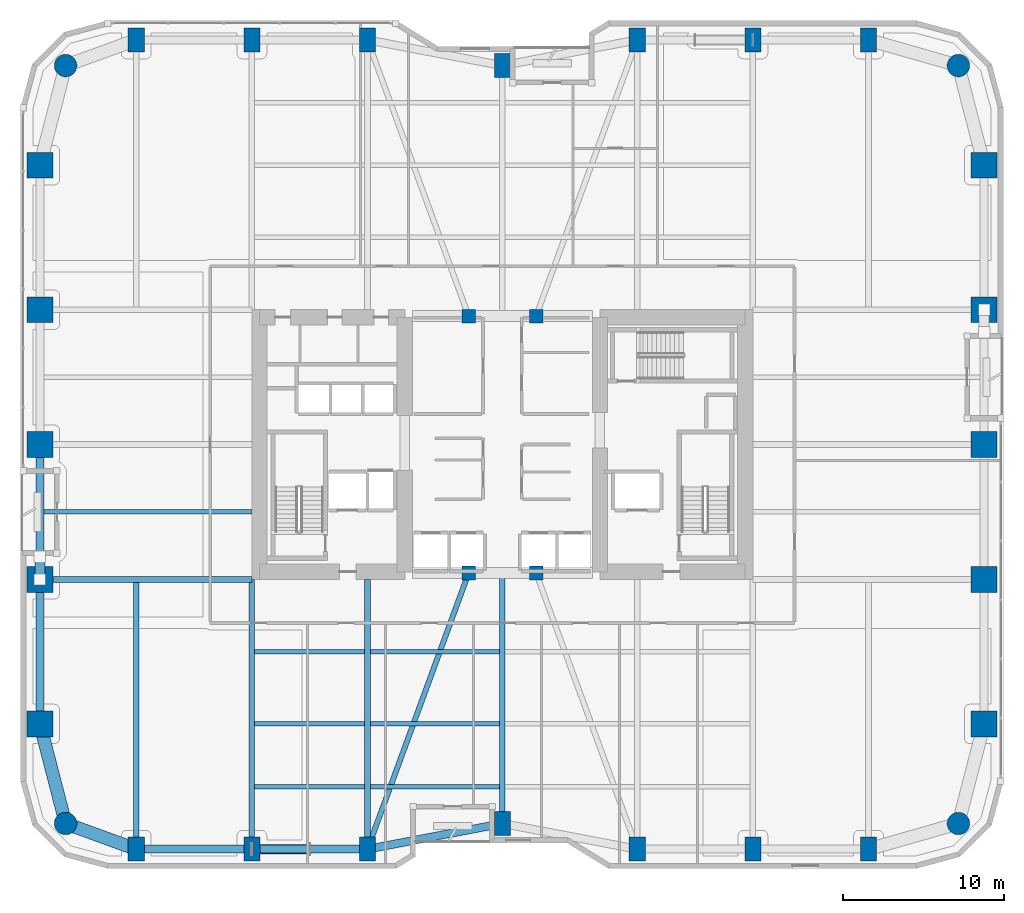
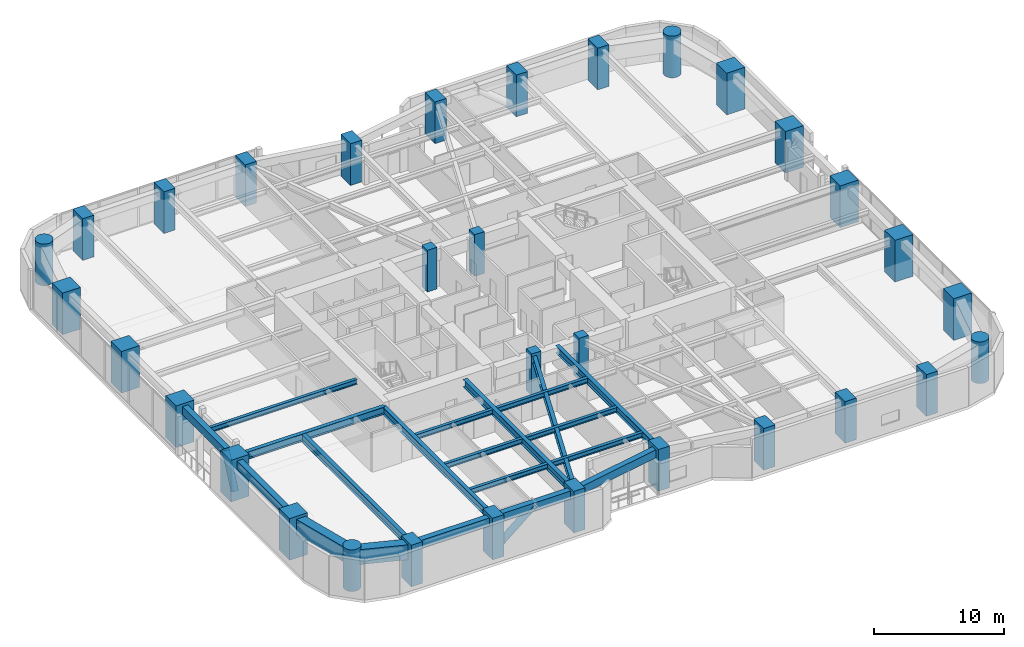
# One storey, part 1 of 29: 32 columns, 20 beams, 2 members.
"""IFC4 building model written with IfcOpenShell, lengths in metres."""

from ifc_helpers import new_model, si_unit, direction, frame, origin, origin_2d, place, context, subcontext, project, spatial, rectangle, circle, hollow_circle, i_section, extrude, material, material_profile, profile_set, type_object, element, save


model = new_model("IFC4")

# Units and contexts
model_context = context("Model", 3, precision=1e-05, world=origin(), true_north=direction((0.0, 1.0)))
body_context = subcontext(model_context, "Body", "Model", "MODEL_VIEW")
ifc_project = project(units=[si_unit("LENGTHUNIT", "METRE"), si_unit("AREAUNIT", "SQUARE_METRE"), si_unit("VOLUMEUNIT", "CUBIC_METRE"), si_unit("PLANEANGLEUNIT", "RADIAN"), si_unit("MASSUNIT", "GRAM", prefix="KILO")], contexts=[model_context])

# Site, building, storey
site_placement = place(None, origin())
site = spatial("IfcSite", under=ifc_project, at=site_placement, CompositionType="ELEMENT")
building_placement = place(site_placement, origin())
building = spatial("IfcBuilding", under=site, at=building_placement, Name="Kiyonajd Concourse Tower", CompositionType="ELEMENT")
storey_placement = place(building_placement, frame((0.0, 0.0, 48.89990234375)))
storey = spatial("IfcBuildingStorey", under=building, at=storey_placement, Name="L13", CompositionType="ELEMENT", Elevation=48.89990234375)

# Columns
ifc_material_1 = material(Name="Concrete C80/95", Category="concrete")
ifc_material_profile_1 = material_profile(ifc_material_1, rectangle(XDim=1.0, YDim=1.5, at=origin_2d()), Name="RC-1500x1000")
ifc_profile_set_1 = profile_set([ifc_material_profile_1], Name="Concrete C80/95")
column_type_1 = type_object("IfcColumnType", Name="CL-BLADE-1500", PredefinedType="COLUMN", material=ifc_profile_set_1)
for number, where, z_axis, x_axis, name in (
    (1, (25.199951171875, 10.800048828125, 0.0), (0.0, 0.0, 1.0), (1.0, 0.0, 0.0), "L13 Perimeter Bundled Tube Column"),
    (2, (25.199951171875, 61.199951171875, 0.0), (0.0, 0.0, 1.0), (1.0, 0.0, 0.0), "L13 Perimeter Bundled Tube Column"),
    (3, (32.39990234375, 10.800048828125, 0.0), (0.0, 0.0, 1.0), (1.0, 0.0, 0.0), "L13 Perimeter Bundled Tube Column"),
    (4, (32.39990234375, 61.199951171875, 0.0), (0.0, 0.0, 1.0), (1.0, 0.0, 0.0), "L13 Perimeter Bundled Tube Column"),
    (5, (39.60009765625, 10.800048828125, 0.0), (0.0, 0.0, 1.0), (1.0, 0.0, 0.0), "L13 Perimeter Bundled Tube Column"),
    (6, (39.60009765625, 61.199951171875, 0.0), (0.0, 0.0, 1.0), (1.0, 0.0, 0.0), "L13 Perimeter Bundled Tube Column"),
    (7, (48.0, 12.39990234375, 0.0), (0.0, 0.0, 1.0), (1.0, 0.0, 0.0), "L13 Perimeter Bundled Tube Column"),
    (8, (48.0, 59.60009765625, 0.0), (0.0, 0.0, 1.0), (1.0, 0.0, 0.0), "L13 Perimeter Bundled Tube Column"),
    (9, (56.39990234375, 10.800048828125, 0.0), (0.0, 0.0, 1.0), (1.0, 0.0, 0.0), "L13 Perimeter Bundled Tube Column"),
    (10, (56.39990234375, 61.199951171875, 0.0), (0.0, 0.0, 1.0), (1.0, 0.0, 0.0), "L13 Perimeter Bundled Tube Column"),
    (11, (63.60009765625, 10.800048828125, 0.0), (0.0, 0.0, 1.0), (1.0, 0.0, 0.0), "L13 Perimeter Bundled Tube Column"),
    (12, (63.60009765625, 61.199951171875, 0.0), (0.0, 0.0, 1.0), (1.0, 0.0, 0.0), "L13 Perimeter Bundled Tube Column"),
    (13, (70.800048828125, 10.800048828125, 0.0), (0.0, 0.0, 1.0), (1.0, 0.0, 0.0), "L13 Perimeter Bundled Tube Column"),
    (14, (70.800048828125, 61.199951171875, 0.0), (0.0, 0.0, 1.0), (1.0, 0.0, 0.0), "L13 Perimeter Bundled Tube Column"),
):
    element("IfcColumn", number, at=place(storey_placement, frame(where, z_axis=z_axis, x_axis=x_axis)), inside=storey, type_object=column_type_1, Name=name, PredefinedType="COLUMN", context=body_context, shape_type="SweptSolid", body=[
        extrude(rectangle(XDim=1.0, YDim=1.5, at=origin_2d()), origin(), (0.0, 0.0, 1.0), 3.900146484375),
    ])
ifc_material_profile_2 = material_profile(ifc_material_1, circle(Radius=0.699951171875, at=origin_2d()), Name="RCC-D1400")
ifc_profile_set_2 = profile_set([ifc_material_profile_2], Name="Concrete C80/95")
column_type_2 = type_object("IfcColumnType", Name="CL-RND-1400", PredefinedType="COLUMN", material=ifc_profile_set_2)
for number, where, z_axis, x_axis, name in (
    (15, (20.800048828125, 12.39990234375, 0.0), (0.0, 0.0, 1.0), (1.0, 0.0, 0.0), "L13 Bundled Tube Corner Column South West"),
    (16, (76.39990234375, 12.39990234375, 0.0), (0.0, 0.0, 1.0), (1.0, 0.0, 0.0), "L13 Bundled Tube Corner Column South East"),
    (17, (76.39990234375, 59.60009765625, 0.0), (0.0, 0.0, 1.0), (1.0, 0.0, 0.0), "L13 Bundled Tube Corner Column North East"),
    (18, (20.800048828125, 59.60009765625, 0.0), (0.0, 0.0, 1.0), (1.0, 0.0, 0.0), "L13 Bundled Tube Corner Column North West"),
):
    element("IfcColumn", number, at=place(storey_placement, frame(where, z_axis=z_axis, x_axis=x_axis)), inside=storey, type_object=column_type_2, Name=name, PredefinedType="COLUMN", context=body_context, shape_type="SweptSolid", body=[
        extrude(circle(Radius=0.699951171875, at=origin_2d()), origin(), (0.0, 0.0, 1.0), 3.900146484375),
    ])
ifc_material_profile_3 = material_profile(ifc_material_1, rectangle(XDim=1.60009765625, YDim=1.60009765625, at=origin_2d()), Name="RC-1600x1600")
ifc_profile_set_3 = profile_set([ifc_material_profile_3], Name="Concrete C80/95")
column_type_3 = type_object("IfcColumnType", Name="CL-TUBE-1600", PredefinedType="COLUMN", material=ifc_profile_set_3)
for number, where, z_axis, x_axis, name in (
    (19, (19.199951171875, 18.60009765625, 0.0), (0.0, 0.0, 1.0), (1.0, 0.0, 0.0), "L13 Perimeter Bundled Tube Column"),
    (20, (78.0, 18.60009765625, 0.0), (0.0, 0.0, 1.0), (1.0, 0.0, 0.0), "L13 Perimeter Bundled Tube Column"),
    (21, (19.199951171875, 27.60009765625, 0.0), (0.0, 0.0, 1.0), (1.0, 0.0, 0.0), "L13 Perimeter Bundled Tube Column"),
    (22, (78.0, 27.60009765625, 0.0), (0.0, 0.0, 1.0), (1.0, 0.0, 0.0), "L13 Perimeter Bundled Tube Column"),
    (23, (19.199951171875, 36.0, 0.0), (0.0, 0.0, 1.0), (1.0, 0.0, 0.0), "L13 Perimeter Bundled Tube Column"),
    (24, (78.0, 36.0, 0.0), (0.0, 0.0, 1.0), (1.0, 0.0, 0.0), "L13 Perimeter Bundled Tube Column"),
    (25, (19.199951171875, 44.39990234375, 0.0), (0.0, 0.0, 1.0), (1.0, 0.0, 0.0), "L13 Perimeter Bundled Tube Column"),
    (26, (78.0, 44.39990234375, 0.0), (0.0, 0.0, 1.0), (1.0, 0.0, 0.0), "L13 Perimeter Bundled Tube Column"),
    (27, (19.199951171875, 53.39990234375, 0.0), (0.0, 0.0, 1.0), (1.0, 0.0, 0.0), "L13 Perimeter Bundled Tube Column"),
    (28, (78.0, 53.39990234375, 0.0), (0.0, 0.0, 1.0), (1.0, 0.0, 0.0), "L13 Perimeter Bundled Tube Column"),
):
    element("IfcColumn", number, at=place(storey_placement, frame(where, z_axis=z_axis, x_axis=x_axis)), inside=storey, type_object=column_type_3, Name=name, PredefinedType="COLUMN", context=body_context, shape_type="SweptSolid", body=[
        extrude(rectangle(XDim=1.60009765625, YDim=1.60009765625, at=origin_2d()), origin(), (0.0, 0.0, 1.0), 3.900146484375),
    ])
ifc_material_2 = material(Name="Concrete C60/75", Category="concrete")
ifc_material_profile_4 = material_profile(ifc_material_2, rectangle(XDim=0.85009765625, YDim=0.85009765625, at=origin_2d()), Name="RC-850x850")
ifc_profile_set_4 = profile_set([ifc_material_profile_4], Name="Concrete C60/75")
column_type_4 = type_object("IfcColumnType", Name="CL-TUBE-850", PredefinedType="COLUMN", material=ifc_profile_set_4)
for number, where, z_axis, x_axis, name in (
    (29, (45.89990234375, 28.0, 0.0), (0.0, 0.0, 1.0), (1.0, 0.0, 0.0), "L13 Core Tie Column South West"),
    (30, (50.10009765625, 28.0, 0.0), (0.0, 0.0, 1.0), (1.0, 0.0, 0.0), "L13 Core Tie Column South East"),
    (31, (45.89990234375, 44.0, 0.0), (0.0, 0.0, 1.0), (1.0, 0.0, 0.0), "L13 Core Tie Column North West"),
    (32, (50.10009765625, 44.0, 0.0), (0.0, 0.0, 1.0), (1.0, 0.0, 0.0), "L13 Core Tie Column North East"),
):
    element("IfcColumn", number, at=place(storey_placement, frame(where, z_axis=z_axis, x_axis=x_axis)), inside=storey, type_object=column_type_4, Name=name, PredefinedType="COLUMN", context=body_context, shape_type="SweptSolid", body=[
        extrude(rectangle(XDim=0.85009765625, YDim=0.85009765625, at=origin_2d()), origin(), (0.0, 0.0, 1.0), 3.900146484375),
    ])

# Beams
ifc_material_3 = material(Name="Steel ASTM A992 Grade 50", Category="steel")
ifc_material_profile_5 = material_profile(ifc_material_3, i_section(OverallWidth=0.280029296875, OverallDepth=0.462890625, WebThickness=0.0107421875, FlangeThickness=0.017333984375, at=origin_2d()), Name="W460X113")
ifc_profile_set_5 = profile_set([ifc_material_profile_5], Name="Steel ASTM A992 Grade 50")
beam_type_1 = type_object("IfcBeamType", Name="BM-JST-460A", PredefinedType="JOIST", material=ifc_profile_set_5)
beam_1_placement = place(storey_placement, frame((32.577392578125, 14.699951171875, 3.40869140625), z_axis=(1.0, 0.0, 0.0), x_axis=(0.0, 1.0, 0.0)))
element("IfcBeam", 33, at=beam_1_placement, inside=storey, type_object=beam_type_1, Name="L13 Secondary Floor Joist", PredefinedType="JOIST", context=body_context, shape_type="SweptSolid", body=[
    extrude(i_section(OverallWidth=0.280029296875, OverallDepth=0.462890625, WebThickness=0.0107421875, FlangeThickness=0.017333984375, at=origin_2d()), origin(), (0.0, 0.0, 1.0), 6.84521484375),
])
beam_2_placement = place(storey_placement, frame((39.777587890625, 14.699951171875, 3.40869140625), z_axis=(1.0, 0.0, 0.0), x_axis=(0.0, 1.0, 0.0)))
element("IfcBeam", 34, at=beam_2_placement, inside=storey, type_object=beam_type_1, Name="L13 Secondary Floor Joist", PredefinedType="JOIST", context=body_context, shape_type="SweptSolid", body=[
    extrude(i_section(OverallWidth=0.280029296875, OverallDepth=0.462890625, WebThickness=0.0107421875, FlangeThickness=0.017333984375, at=origin_2d()), origin(), (0.0, 0.0, 1.0), 8.044921875),
])
beam_3_placement = place(storey_placement, frame((32.577392578125, 18.60009765625, 3.40869140625), z_axis=(1.0, 0.0, 0.0), x_axis=(0.0, 1.0, 0.0)))
element("IfcBeam", 35, at=beam_3_placement, inside=storey, type_object=beam_type_1, Name="L13 Secondary Floor Joist", PredefinedType="JOIST", context=body_context, shape_type="SweptSolid", body=[
    extrude(i_section(OverallWidth=0.280029296875, OverallDepth=0.462890625, WebThickness=0.0107421875, FlangeThickness=0.017333984375, at=origin_2d()), origin(), (0.0, 0.0, 1.0), 6.84521484375),
])
beam_4_placement = place(storey_placement, frame((39.777587890625, 18.60009765625, 3.40869140625), z_axis=(1.0, 0.0, 0.0), x_axis=(0.0, 1.0, 0.0)))
element("IfcBeam", 36, at=beam_4_placement, inside=storey, type_object=beam_type_1, Name="L13 Secondary Floor Joist", PredefinedType="JOIST", context=body_context, shape_type="SweptSolid", body=[
    extrude(i_section(OverallWidth=0.280029296875, OverallDepth=0.462890625, WebThickness=0.0107421875, FlangeThickness=0.017333984375, at=origin_2d()), origin(), (0.0, 0.0, 1.0), 8.044921875),
])
beam_5_placement = place(storey_placement, frame((32.577392578125, 23.10009765625, 3.40869140625), z_axis=(1.0, 0.0, 0.0), x_axis=(0.0, 1.0, 0.0)))
element("IfcBeam", 37, at=beam_5_placement, inside=storey, type_object=beam_type_1, Name="L13 Secondary Floor Joist", PredefinedType="JOIST", context=body_context, shape_type="SweptSolid", body=[
    extrude(i_section(OverallWidth=0.280029296875, OverallDepth=0.462890625, WebThickness=0.0107421875, FlangeThickness=0.017333984375, at=origin_2d()), origin(), (0.0, 0.0, 1.0), 6.84521484375),
])
beam_6_placement = place(storey_placement, frame((39.777587890625, 23.10009765625, 3.40869140625), z_axis=(1.0, 0.0, 0.0), x_axis=(0.0, 1.0, 0.0)))
element("IfcBeam", 38, at=beam_6_placement, inside=storey, type_object=beam_type_1, Name="L13 Secondary Floor Joist", PredefinedType="JOIST", context=body_context, shape_type="SweptSolid", body=[
    extrude(i_section(OverallWidth=0.280029296875, OverallDepth=0.462890625, WebThickness=0.0107421875, FlangeThickness=0.017333984375, at=origin_2d()), origin(), (0.0, 0.0, 1.0), 8.044921875),
])
beam_7_placement = place(storey_placement, frame((19.449951171875, 31.800048828125, 3.40869140625), z_axis=(1.0, 0.0, 0.0), x_axis=(0.0, 1.0, 0.0)))
element("IfcBeam", 39, at=beam_7_placement, inside=storey, type_object=beam_type_1, Name="L13 West Secondary Floor Joist", PredefinedType="JOIST", context=body_context, shape_type="SweptSolid", body=[
    extrude(i_section(OverallWidth=0.280029296875, OverallDepth=0.462890625, WebThickness=0.0107421875, FlangeThickness=0.017333984375, at=origin_2d()), origin(), (0.0, 0.0, 1.0), 12.949951171875),
])
ifc_material_4 = material(Name="Precast concrete C50/60", Category="concrete")
ifc_material_profile_6 = material_profile(ifc_material_4, rectangle(XDim=0.5, YDim=0.75, at=origin_2d()), Name="RCBM-500x750")
ifc_profile_set_6 = profile_set([ifc_material_profile_6], Name="Precast concrete C50/60")
beam_type_2 = type_object("IfcBeamType", Name="BM-SPAN-RC", PredefinedType="SPANDREL", material=ifc_profile_set_6)
beam_8_placement = place(storey_placement, frame((19.199951171875, 27.60009765625, 3.26513671875), z_axis=(0.0, -1.0, 0.0), x_axis=(1.0, 0.0, 0.0)))
element("IfcBeam", 40, at=beam_8_placement, inside=storey, type_object=beam_type_2, Name="L13 Perimeter Bundled Tube Spandrel", PredefinedType="SPANDREL", context=body_context, shape_type="SweptSolid", body=[
    extrude(rectangle(XDim=0.5, YDim=0.75, at=origin_2d()), origin(), (0.0, 0.0, 1.0), 9.0),
])
beam_9_placement = place(storey_placement, frame((25.199951171875, 10.800048828125, 3.26513671875), z_axis=(1.0, 0.0, 0.0), x_axis=(0.0, 1.0, 0.0)))
element("IfcBeam", 41, at=beam_9_placement, inside=storey, type_object=beam_type_2, Name="L13 Perimeter Bundled Tube Spandrel", PredefinedType="SPANDREL", context=body_context, shape_type="SweptSolid", body=[
    extrude(rectangle(XDim=0.5, YDim=0.75, at=origin_2d()), origin(), (0.0, 0.0, 1.0), 7.199951171875),
])
beam_10_placement = place(storey_placement, frame((32.39990234375, 10.800048828125, 3.26513671875), z_axis=(1.0, 0.0, 0.0), x_axis=(0.0, 1.0, 0.0)))
element("IfcBeam", 42, at=beam_10_placement, inside=storey, type_object=beam_type_2, Name="L13 Perimeter Bundled Tube Spandrel", PredefinedType="SPANDREL", context=body_context, shape_type="SweptSolid", body=[
    extrude(rectangle(XDim=0.5, YDim=0.75, at=origin_2d()), origin(), (0.0, 0.0, 1.0), 7.2001953125),
])
beam_11_placement = place(storey_placement, frame((39.60009765625, 10.800048828125, 3.26513671875), z_axis=(0.982341315253, 0.187097675953, 0.0), x_axis=(-0.187097675953, 0.982341315253, 0.0)))
element("IfcBeam", 43, at=beam_11_placement, inside=storey, type_object=beam_type_2, Name="L13 Perimeter Bundled Tube Spandrel", PredefinedType="SPANDREL", context=body_context, shape_type="SweptSolid", body=[
    extrude(rectangle(XDim=0.5, YDim=0.75, at=origin_2d()), origin(), (0.0, 0.0, 1.0), 8.55078125),
])
beam_12_placement = place(storey_placement, frame((19.199951171875, 36.0, 3.26513671875), z_axis=(0.0, -1.0, 0.0), x_axis=(1.0, 0.0, 0.0)))
element("IfcBeam", 44, at=beam_12_placement, inside=storey, type_object=beam_type_2, Name="L13 Perimeter Bundled Tube Spandrel", PredefinedType="SPANDREL", context=body_context, shape_type="SweptSolid", body=[
    extrude(rectangle(XDim=0.5, YDim=0.75, at=origin_2d()), origin(), (0.0, 0.0, 1.0), 8.39990234375),
])
ifc_material_profile_7 = material_profile(ifc_material_3, i_section(OverallWidth=0.326904296875, OverallDepth=0.6220703125, WebThickness=0.015380859375, FlangeThickness=0.0244140625, at=origin_2d()), Name="W610X195")
ifc_profile_set_7 = profile_set([ifc_material_profile_7], Name="Steel ASTM A992 Grade 50")
beam_type_3 = type_object("IfcBeamType", Name="BM-TWR-610A", PredefinedType="BEAM", material=ifc_profile_set_7)
beam_13_placement = place(storey_placement, frame((39.60009765625, 10.800048828125, 3.3291015625), z_axis=(0.343925269715, 0.938997022813, 0.0), x_axis=(-0.938997022813, 0.343925269715, 0.0)))
element("IfcBeam", 45, at=beam_13_placement, inside=storey, type_object=beam_type_3, Name="L13 Core Tie Girder", PredefinedType="BEAM", context=body_context, shape_type="SweptSolid", body=[
    extrude(i_section(OverallWidth=0.326904296875, OverallDepth=0.6220703125, WebThickness=0.015380859375, FlangeThickness=0.0244140625, at=origin_2d()), origin(), (0.0, 0.0, 1.0), 18.3173828125),
])
ifc_material_profile_8 = material_profile(ifc_material_3, i_section(OverallWidth=0.35498046875, OverallDepth=0.695068359375, WebThickness=0.015380859375, FlangeThickness=0.02490234375, at=origin_2d()), Name="W690X217")
ifc_profile_set_8 = profile_set([ifc_material_profile_8], Name="Steel ASTM A992 Grade 50")
beam_type_4 = type_object("IfcBeamType", Name="BM-TWR-690", PredefinedType="BEAM", material=ifc_profile_set_8)
for number, where, z_axis, x_axis, name in (
    (46, (25.199951171875, 10.800048828125, 3.29248046875), (0.0, 1.0, 0.0), (-1.0, 0.0, 0.0), "L13 South Lease Girder"),
    (47, (32.39990234375, 10.800048828125, 3.29248046875), (0.0, 1.0, 0.0), (-1.0, 0.0, 0.0), "L13 South Lease Girder"),
    (48, (39.60009765625, 10.800048828125, 3.29248046875), (0.0, 1.0, 0.0), (-1.0, 0.0, 0.0), "L13 South Lease Girder"),
):
    element("IfcBeam", number, at=place(storey_placement, frame(where, z_axis=z_axis, x_axis=x_axis)), inside=storey, type_object=beam_type_4, Name=name, PredefinedType="BEAM", context=body_context, shape_type="SweptSolid", body=[
        extrude(i_section(OverallWidth=0.35498046875, OverallDepth=0.695068359375, WebThickness=0.015380859375, FlangeThickness=0.02490234375, at=origin_2d()), origin(), (0.0, 0.0, 1.0), 16.800048828125),
    ])
beam_14_placement = place(storey_placement, frame((48.0, 12.39990234375, 3.29248046875), z_axis=(0.0, 1.0, 0.0), x_axis=(-1.0, 0.0, 0.0)))
element("IfcBeam", 49, at=beam_14_placement, inside=storey, type_object=beam_type_4, Name="L13 South Ribbon Girder", PredefinedType="BEAM", context=body_context, shape_type="SweptSolid", body=[
    extrude(i_section(OverallWidth=0.35498046875, OverallDepth=0.695068359375, WebThickness=0.015380859375, FlangeThickness=0.02490234375, at=origin_2d()), origin(), (0.0, 0.0, 1.0), 15.60009765625),
])
beam_15_placement = place(storey_placement, frame((19.199951171875, 27.60009765625, 3.29248046875), z_axis=(1.0, 0.0, 0.0), x_axis=(0.0, 1.0, 0.0)))
element("IfcBeam", 50, at=beam_15_placement, inside=storey, type_object=beam_type_4, Name="L13 West Lease Girder", PredefinedType="BEAM", context=body_context, shape_type="SweptSolid", body=[
    extrude(i_section(OverallWidth=0.35498046875, OverallDepth=0.695068359375, WebThickness=0.015380859375, FlangeThickness=0.02490234375, at=origin_2d()), origin(), (0.0, 0.0, 1.0), 13.199951171875),
])
ifc_material_profile_9 = material_profile(ifc_material_2, rectangle(XDim=0.800048828125, YDim=1.39990234375, at=origin_2d()), Name="RCBM-800x1400")
ifc_profile_set_9 = profile_set([ifc_material_profile_9], Name="Concrete C60/75")
beam_type_5 = type_object("IfcBeamType", Name="BM-XFER-RC", PredefinedType="BEAM", material=ifc_profile_set_9)
beam_16_placement = place(storey_placement, frame((19.199951171875, 18.60009765625, 2.940185546875), z_axis=(0.249884937687, -0.968275538221, 0.0), x_axis=(0.968275538221, 0.249884937687, 0.0)))
element("IfcBeam", 51, at=beam_16_placement, inside=storey, type_object=beam_type_5, Name="L13 Perimeter Bundled Tube Spandrel", PredefinedType="BEAM", context=body_context, shape_type="SweptSolid", body=[
    extrude(rectangle(XDim=0.800048828125, YDim=1.39990234375, at=origin_2d()), origin(), (0.0, 0.0, 1.0), 6.4033203125),
])
beam_17_placement = place(storey_placement, frame((20.800048828125, 12.39990234375, 2.940185546875), z_axis=(0.939801036019, -0.341722127901, 0.0), x_axis=(0.341722127901, 0.939801036019, 0.0)))
element("IfcBeam", 52, at=beam_17_placement, inside=storey, type_object=beam_type_5, Name="L13 Perimeter Bundled Tube Spandrel", PredefinedType="BEAM", context=body_context, shape_type="SweptSolid", body=[
    extrude(rectangle(XDim=0.800048828125, YDim=1.39990234375, at=origin_2d()), origin(), (0.0, 0.0, 1.0), 4.681640625),
])

# Members
ifc_material_5 = material(Name="Steel ASTM A572 Grade 50", Category="steel")
ifc_material_profile_10 = material_profile(ifc_material_5, hollow_circle(Radius=0.304931640625, WallThickness=0.02490234375, at=origin_2d()), Name="CHS-610x25")
ifc_profile_set_10 = profile_set([ifc_material_profile_10], Name="Steel ASTM A572 Grade 50")
member_type = type_object("IfcMemberType", Name="MB-PB-LOW", PredefinedType="BRACE", material=ifc_profile_set_10)
member_1_placement = place(storey_placement, frame((32.39990234375, 10.800048828125, 0.300048828125), z_axis=(0.769280705518, 0.0, 0.638910945373), x_axis=(0.0, 1.0, 0.0)))
element("IfcMember", 53, at=member_1_placement, inside=storey, type_object=member_type, Name="L13 Lower Zone Welded Tube Brace PBS", PredefinedType="BRACE", context=body_context, shape_type="SweptSolid", body=[
    extrude(hollow_circle(Radius=0.304931640625, WallThickness=0.02490234375, at=origin_2d()), origin(), (0.0, 0.0, 1.0), 4.679931640625),
])
member_2_placement = place(storey_placement, frame((19.199951171875, 27.60009765625, 0.300048828125), z_axis=(0.0, 0.424022702926, 0.905651559598), x_axis=(-1.0, 0.0, 0.0)))
element("IfcMember", 54, at=member_2_placement, inside=storey, type_object=member_type, Name="L13 Lower Zone Welded Tube Brace PBW", PredefinedType="BRACE", context=body_context, shape_type="SweptSolid", body=[
    extrude(hollow_circle(Radius=0.304931640625, WallThickness=0.02490234375, at=origin_2d()), origin(), (0.0, 0.0, 1.0), 3.301513671875),
])

save(model, "model.ifc")
